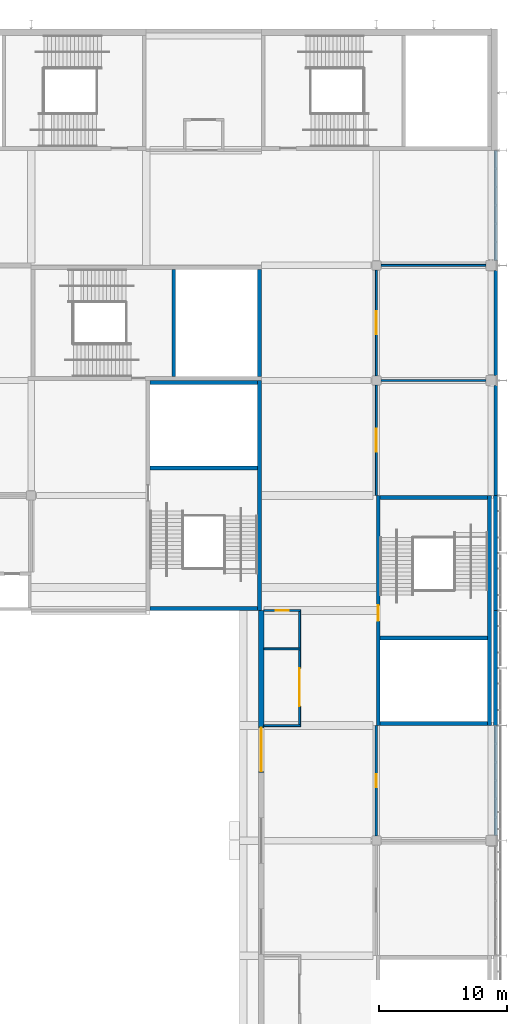
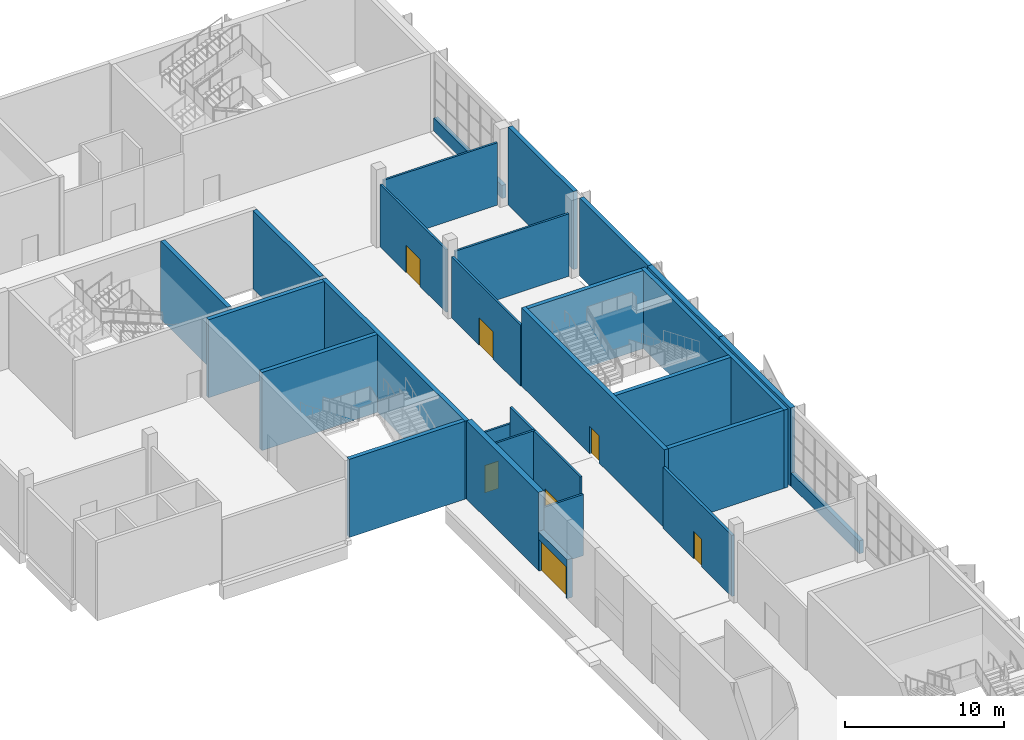
# One storey, part 46 of 89: 29 walls, 7 doors, 7 openings.
"""IFC4 building model written with IfcOpenShell, lengths in metres."""

from ifc_helpers import new_model, si_unit, direction, frame, frame_2d, origin, place, context, subcontext, project, spatial, rectangle, extrude, material, layer, layer_set, type_object, element, fill, save


model = new_model("IFC4")

# Units and contexts
model_context = context("Model", 3, precision=1e-05, world=origin(), true_north=direction((0.0, 1.0)))
body_context = subcontext(model_context, "Body", "Model", "MODEL_VIEW")
ifc_project = project(units=[si_unit("LENGTHUNIT", "METRE"), si_unit("AREAUNIT", "SQUARE_METRE"), si_unit("VOLUMEUNIT", "CUBIC_METRE"), si_unit("PLANEANGLEUNIT", "RADIAN"), si_unit("MASSUNIT", "GRAM", prefix="KILO")], contexts=[model_context])

# Site, building, storey
site_placement = place(None, origin())
site = spatial("IfcSite", under=ifc_project, at=site_placement, CompositionType="ELEMENT")
building_placement = place(site_placement, origin())
building = spatial("IfcBuilding", under=site, at=building_placement, Name="Silverbay Arena", CompositionType="ELEMENT")
storey_placement = place(building_placement, frame((0.0, 0.0, 22.0)))
storey = spatial("IfcBuildingStorey", under=building, at=storey_placement, Name="L03", CompositionType="ELEMENT", Elevation=22.0)

# Wall, opening, door
ifc_material_1 = material(Name="Concrete Grade C45", Category="concrete")
ifc_layer_1 = layer(ifc_material_1, 0.39990234375)
ifc_layer_set_1 = layer_set([ifc_layer_1], Name="Concrete Grade C45")
wall_type_1 = type_object("IfcWallType", Name="Bowl enclosure wall RC 400 EI 120", PredefinedType="SOLIDWALL", material=ifc_layer_set_1)
wall_1_placement = place(storey_placement, frame((189.0, 86.324951171875, 0.0), z_axis=(0.0, 0.0, 1.0), x_axis=(0.0, 1.0, 0.0)))
wall_1 = element("IfcWall", 1, at=wall_1_placement, inside=storey, type_object=wall_type_1, Name="portal stand E 88.125", PredefinedType="SOLIDWALL", context=body_context, shape_type="SweptSolid", body=[
    extrude(rectangle(XDim=3.60009765625, YDim=0.39990234375, at=frame_2d((1.800048828125, 0.0))), origin(), (0.0, 0.0, 1.0), 3.0),
])
opening_1_placement = place(wall_1_placement, frame((0.10009765625, 0.0, 0.0)))
opening_1 = element("IfcOpeningElement", 2, at=opening_1_placement, cuts=wall_1, Name="Opening L03-106", PredefinedType="OPENING", context=body_context, shape_type="SweptSolid", body=[
    extrude(rectangle(XDim=3.39990234375, YDim=2.39990234375, at=frame_2d((1.699951171875, 1.199951171875))), frame((0.0, 0.2099609375, 0.0), z_axis=(0.0, -1.0, 0.0), x_axis=(1.0, 0.0, 0.0)), (0.0, 0.0, 1.0), 0.419921875),
])
ifc_material_2 = material(Name="Steel", Category="steel")
door_type_1 = type_object("IfcDoorType", Name="Fire door set 3400 x 2400 FD120S portal", OperationType="DOUBLE_DOOR_SINGLE_SWING", PredefinedType="DOOR", material=ifc_material_2)
door_1_placement = place(opening_1_placement, frame((3.39990234375, 0.0, 0.0), z_axis=(0.0, 0.0, 1.0), x_axis=(-1.0, 0.0, 0.0)))
door_1 = element("IfcDoor", 3, at=door_1_placement, inside=storey, type_object=door_type_1, Name="Fire door set L03 portal stand E 88.125", OperationType="DOUBLE_DOOR_SINGLE_SWING", OverallHeight=2.39990234375, OverallWidth=3.39990234375, PredefinedType="DOOR", context=body_context, shape_type="SweptSolid", body=[
    extrude(rectangle(XDim=3.39990234375, YDim=2.39990234375, at=frame_2d((1.699951171875, 1.199951171875))), frame((0.0, 0.02490234375, 0.0), z_axis=(0.0, -1.0, 0.0), x_axis=(1.0, 0.0, 0.0)), (0.0, 0.0, 1.0), 0.050048828125),
])
fill(opening_1, door_1)

# Walls
ifc_material_3 = material(Name="Concrete Grade C45 precast, light finish", Category="concrete")
ifc_layer_2 = layer(ifc_material_3, 0.300048828125)
ifc_layer_set_2 = layer_set([ifc_layer_2], Name="Concrete Grade C45 precast, light finish")
wall_type_2 = type_object("IfcWallType", Name="Cladded external wall 300", PredefinedType="SOLIDWALL", material=ifc_layer_set_2)
wall_2_placement = place(storey_placement, frame((207.35009765625, 81.39990234375, 0.0), z_axis=(0.0, 0.0, 1.0), x_axis=(0.0, 1.0, 0.0)))
element("IfcWall", 4, at=wall_2_placement, inside=storey, type_object=wall_type_2, Name="East sill wall L03 bay 8", PredefinedType="SOLIDWALL", context=body_context, shape_type="SweptSolid", body=[
    extrude(rectangle(XDim=8.60009765625, YDim=0.300048828125, at=frame_2d((4.300048828125, 0.0))), origin(), (0.0, 0.0, 1.0), 1.0),
])
wall_3_placement = place(storey_placement, frame((207.35009765625, 108.0, 0.0), z_axis=(0.0, 0.0, 1.0), x_axis=(0.0, 1.0, 0.0)))
element("IfcWall", 5, at=wall_3_placement, inside=storey, type_object=wall_type_2, Name="East external wall L03 bay 11", PredefinedType="SOLIDWALL", context=body_context, shape_type="SweptSolid", body=[
    extrude(rectangle(XDim=8.60009765625, YDim=0.300048828125, at=frame_2d((4.300048828125, 0.0))), origin(), (0.0, 0.0, 1.0), 6.0),
])
wall_4_placement = place(storey_placement, frame((207.35009765625, 117.39990234375, 0.0), z_axis=(0.0, 0.0, 1.0), x_axis=(0.0, 1.0, 0.0)))
element("IfcWall", 6, at=wall_4_placement, inside=storey, type_object=wall_type_2, Name="East external wall L03 bay 12", PredefinedType="SOLIDWALL", context=body_context, shape_type="SweptSolid", body=[
    extrude(rectangle(XDim=8.2001953125, YDim=0.300048828125, at=frame_2d((4.10009765625, 0.0))), origin(), (0.0, 0.0, 1.0), 6.0),
])
wall_5_placement = place(storey_placement, frame((207.35009765625, 126.39990234375, 0.0), z_axis=(0.0, 0.0, 1.0), x_axis=(0.0, 1.0, 0.0)))
element("IfcWall", 7, at=wall_5_placement, inside=storey, type_object=wall_type_2, Name="East sill wall L03 bay 13", PredefinedType="SOLIDWALL", context=body_context, shape_type="SweptSolid", body=[
    extrude(rectangle(XDim=8.60009765625, YDim=0.300048828125, at=frame_2d((4.300048828125, 0.0))), origin(), (0.0, 0.0, 1.0), 1.0),
])

# Wall, opening, door
ifc_material_4 = material(Name="Concrete Grade C45", Category="concrete")
ifc_layer_3 = layer(ifc_material_4, 0.300048828125)
ifc_layer_set_3 = layer_set([ifc_layer_3], Name="Concrete Grade C45")
wall_type_3 = type_object("IfcWallType", Name="Core wall RC 300 EI 120", PredefinedType="SHEAR", material=ifc_layer_set_3)
wall_6_placement = place(storey_placement, frame((198.14990234375, 108.0, 0.0), z_axis=(0.0, 0.0, 1.0), x_axis=(0.0, -1.0, 0.0)))
wall_6 = element("IfcWall", 8, at=wall_6_placement, inside=storey, type_object=wall_type_3, Name="Core wall ST-E2 L03 door side", PredefinedType="SHEAR", context=body_context, shape_type="SweptSolid", body=[
    extrude(rectangle(XDim=18.0, YDim=0.300048828125, at=frame_2d((9.0, 0.0))), origin(), (0.0, 0.0, 1.0), 6.0),
])
opening_2_placement = place(wall_6_placement, frame((8.60009765625, 0.0, 0.0)))
opening_2 = element("IfcOpeningElement", 9, at=opening_2_placement, cuts=wall_6, Name="Opening L03-068", PredefinedType="OPENING", context=body_context, shape_type="SweptSolid", body=[
    extrude(rectangle(XDim=1.199951171875, YDim=2.10009765625, at=frame_2d((0.60009765625, 1.050048828125))), frame((0.0, 0.16015625, 0.0), z_axis=(0.0, -1.0, 0.0), x_axis=(1.0, 0.0, 0.0)), (0.0, 0.0, 1.0), 0.320068359375),
])
ifc_material_5 = material(Name="Steel fire door", Category="steel")
door_type_2 = type_object("IfcDoorType", Name="Stair door 1200 x 2100 fire door", OperationType="SINGLE_SWING_LEFT", PredefinedType="DOOR", material=ifc_material_5)
door_2_placement = place(opening_2_placement, origin())
door_2 = element("IfcDoor", 10, at=door_2_placement, inside=storey, type_object=door_type_2, Name="Stair door ST-E2 L03", OperationType="SINGLE_SWING_RIGHT", OverallHeight=2.10009765625, OverallWidth=1.199951171875, PredefinedType="DOOR", context=body_context, shape_type="SweptSolid", body=[
    extrude(rectangle(XDim=1.199951171875, YDim=2.10009765625, at=frame_2d((0.60009765625, 1.050048828125))), frame((0.0, 0.02490234375, 0.0), z_axis=(0.0, -1.0, 0.0), x_axis=(1.0, 0.0, 0.0)), (0.0, 0.0, 1.0), 0.050048828125),
])
fill(opening_2, door_2)

# Walls
wall_7_placement = place(storey_placement, frame((206.85009765625, 108.0, 0.0), z_axis=(0.0, 0.0, 1.0), x_axis=(0.0, -1.0, 0.0)))
element("IfcWall", 11, at=wall_7_placement, inside=storey, type_object=wall_type_3, Name="Core wall ST-E2 L03 far side", PredefinedType="SHEAR", context=body_context, shape_type="SweptSolid", body=[
    extrude(rectangle(XDim=18.0, YDim=0.300048828125, at=frame_2d((9.0, 0.0))), origin(), (0.0, 0.0, 1.0), 6.0),
])
for number, where, z_axis, x_axis, name in (
    (12, (198.300048828125, 107.85009765625, 0.0), (0.0, 0.0, 1.0), (1.0, 0.0, 0.0), "Core wall ST-E2 L03 end 1"),
    (13, (198.300048828125, 90.14990234375, 0.0), (0.0, 0.0, 1.0), (1.0, 0.0, 0.0), "Core wall ST-E2 L03 end 2"),
    (14, (198.300048828125, 96.85009765625, 0.0), (0.0, 0.0, 1.0), (1.0, 0.0, 0.0), "Core wall ST-E2 L03 stair enclosure"),
    (15, (188.85009765625, 117.300048828125, 0.0), (0.0, 0.0, 1.0), (0.0, 1.0, 0.0), "Core wall ST-NE1 L03 end 2"),
    (16, (182.14990234375, 117.300048828125, 0.0), (0.0, 0.0, 1.0), (0.0, 1.0, 0.0), "Core wall ST-NE1 L03 stair enclosure"),
):
    element("IfcWall", number, at=place(storey_placement, frame(where, z_axis=z_axis, x_axis=x_axis)), inside=storey, type_object=wall_type_3, Name=name, PredefinedType="SHEAR", context=body_context, shape_type="SweptSolid", body=[
        extrude(rectangle(XDim=8.39990234375, YDim=0.300048828125, at=frame_2d((4.199951171875, 0.0))), origin(), (0.0, 0.0, 1.0), 6.0),
    ])
wall_8_placement = place(storey_placement, frame((188.85009765625, 99.0, 0.0), z_axis=(0.0, 0.0, 1.0), x_axis=(0.0, 1.0, 0.0)))
element("IfcWall", 17, at=wall_8_placement, inside=storey, type_object=wall_type_3, Name="Core wall ST-NE2 L03 far side", PredefinedType="SHEAR", context=body_context, shape_type="SweptSolid", body=[
    extrude(rectangle(XDim=18.0, YDim=0.300048828125, at=frame_2d((9.0, 0.0))), origin(), (0.0, 0.0, 1.0), 6.0),
])
for number, where, z_axis, x_axis, name in (
    (18, (180.300048828125, 99.14990234375, 0.0), (0.0, 0.0, 1.0), (1.0, 0.0, 0.0), "Core wall ST-NE2 L03 end 1"),
    (19, (180.300048828125, 116.85009765625, 0.0), (0.0, 0.0, 1.0), (1.0, 0.0, 0.0), "Core wall ST-NE2 L03 end 2"),
    (20, (180.300048828125, 110.14990234375, 0.0), (0.0, 0.0, 1.0), (1.0, 0.0, 0.0), "Core wall ST-NE2 L03 stair enclosure"),
):
    element("IfcWall", number, at=place(storey_placement, frame(where, z_axis=z_axis, x_axis=x_axis)), inside=storey, type_object=wall_type_3, Name=name, PredefinedType="SHEAR", context=body_context, shape_type="SweptSolid", body=[
        extrude(rectangle(XDim=8.39990234375, YDim=0.300048828125, at=frame_2d((4.199951171875, 0.0))), origin(), (0.0, 0.0, 1.0), 6.0),
    ])
ifc_material_6 = material(Name="Gypsum board partition on steel studs", Category="steel")
ifc_layer_4 = layer(ifc_material_6, 0.14990234375)
ifc_layer_set_4 = layer_set([ifc_layer_4], Name="Gypsum board partition on steel studs")
wall_type_4 = type_object("IfcWallType", Name="Partition 150 EI 60", PredefinedType="PARTITIONING", material=ifc_layer_set_4)
wall_9_placement = place(storey_placement, frame((189.199951171875, 90.0, 0.0), z_axis=(0.0, 0.0, 1.0), x_axis=(1.0, 0.0, 0.0)))
element("IfcWall", 21, at=wall_9_placement, inside=storey, type_object=wall_type_4, Name="Partition wall", PredefinedType="PARTITIONING", context=body_context, shape_type="SweptSolid", body=[
    extrude(rectangle(XDim=2.875, YDim=0.14990234375, at=frame_2d((1.4375, 0.0))), origin(), (0.0, 0.0, 1.0), 4.699951171875),
])
wall_10_placement = place(storey_placement, frame((189.199951171875, 96.0, 0.0), z_axis=(0.0, 0.0, 1.0), x_axis=(1.0, 0.0, 0.0)))
element("IfcWall", 22, at=wall_10_placement, inside=storey, type_object=wall_type_4, Name="Partition wall", PredefinedType="PARTITIONING", context=body_context, shape_type="SweptSolid", body=[
    extrude(rectangle(XDim=2.875, YDim=0.14990234375, at=frame_2d((1.4375, 0.0))), origin(), (0.0, 0.0, 1.0), 6.0),
])

# Wall, opening, door
wall_11_placement = place(storey_placement, frame((189.199951171875, 99.0, 0.0), z_axis=(0.0, 0.0, 1.0), x_axis=(1.0, 0.0, 0.0)))
wall_11 = element("IfcWall", 23, at=wall_11_placement, inside=storey, type_object=wall_type_4, Name="Partition wall", PredefinedType="PARTITIONING", context=body_context, shape_type="SweptSolid", body=[
    extrude(rectangle(XDim=2.875, YDim=0.14990234375, at=frame_2d((1.4375, 0.0))), origin(), (0.0, 0.0, 1.0), 4.699951171875),
])
opening_3_placement = place(wall_11_placement, frame((0.93798828125, 0.0, 0.0)))
opening_3 = element("IfcOpeningElement", 24, at=opening_3_placement, cuts=wall_11, Name="Opening L03-046", PredefinedType="OPENING", context=body_context, shape_type="SweptSolid", body=[
    extrude(rectangle(XDim=1.0, YDim=2.10009765625, at=frame_2d((0.5, 1.050048828125))), frame((0.0, 0.0849609375, 0.0), z_axis=(0.0, -1.0, 0.0), x_axis=(1.0, 0.0, 0.0)), (0.0, 0.0, 1.0), 0.169921875),
])
ifc_material_7 = material(Name="Steel faced timber", Category="steel")
door_type_3 = type_object("IfcDoorType", Name="Single leaf door 1000 x 2100 FD30S", OperationType="SINGLE_SWING_LEFT", PredefinedType="DOOR", material=ifc_material_7)
door_3_placement = place(opening_3_placement, frame((1.0, 0.0, 0.0), z_axis=(0.0, 0.0, 1.0), x_axis=(-1.0, 0.0, 0.0)))
door_3 = element("IfcDoor", 25, at=door_3_placement, inside=storey, type_object=door_type_3, Name="Door L03-046", OperationType="SINGLE_SWING_LEFT", OverallHeight=2.10009765625, OverallWidth=1.0, PredefinedType="DOOR", context=body_context, shape_type="SweptSolid", body=[
    extrude(rectangle(XDim=1.0, YDim=2.10009765625, at=frame_2d((0.5, 1.050048828125))), frame((0.0, 0.02490234375, 0.0), z_axis=(0.0, -1.0, 0.0), x_axis=(1.0, 0.0, 0.0)), (0.0, 0.0, 1.0), 0.050048828125),
])
fill(opening_3, door_3)

# Walls
for number, where, z_axis, x_axis, name in (
    (26, (198.35009765625, 117.0, 0.0), (0.0, 0.0, 1.0), (1.0, 0.0, 0.0), "Partition wall"),
    (27, (198.35009765625, 126.0, 0.0), (0.0, 0.0, 1.0), (1.0, 0.0, 0.0), "Partition wall"),
):
    element("IfcWall", number, at=place(storey_placement, frame(where, z_axis=z_axis, x_axis=x_axis)), inside=storey, type_object=wall_type_4, Name=name, PredefinedType="PARTITIONING", context=body_context, shape_type="SweptSolid", body=[
        extrude(rectangle(XDim=8.25, YDim=0.14990234375, at=frame_2d((4.125, 0.0))), origin(), (0.0, 0.0, 1.0), 4.800048828125),
    ])

# Wall, opening, door
wall_12_placement = place(storey_placement, frame((192.0, 90.074951171875, 0.0), z_axis=(0.0, 0.0, 1.0), x_axis=(0.0, 1.0, 0.0)))
wall_12 = element("IfcWall", 28, at=wall_12_placement, inside=storey, type_object=wall_type_4, Name="Partition wall", PredefinedType="PARTITIONING", context=body_context, shape_type="SweptSolid", body=[
    extrude(rectangle(XDim=5.85009765625, YDim=0.14990234375, at=frame_2d((2.925048828125, 0.0))), origin(), (0.0, 0.0, 1.0), 6.0),
])
opening_4_placement = place(wall_12_placement, frame((1.425048828125, 0.0, 0.0)))
opening_4 = element("IfcOpeningElement", 29, at=opening_4_placement, cuts=wall_12, Name="Opening L03-045", PredefinedType="OPENING", context=body_context, shape_type="SweptSolid", body=[
    extrude(rectangle(XDim=3.0, YDim=2.39990234375, at=frame_2d((1.5, 1.199951171875))), frame((0.0, 0.0849609375, 0.0), z_axis=(0.0, -1.0, 0.0), x_axis=(1.0, 0.0, 0.0)), (0.0, 0.0, 1.0), 0.169921875),
])
ifc_material_8 = material(Name="Steel", Category="steel")
door_type_4 = type_object("IfcDoorType", Name="Roller shutter 3000 x 2400 FD30S", OperationType="ROLLINGUP", PredefinedType="DOOR", material=ifc_material_8)
door_4_placement = place(opening_4_placement, origin())
door_4 = element("IfcDoor", 30, at=door_4_placement, inside=storey, type_object=door_type_4, Name="Door L03-045", OperationType="ROLLINGUP", OverallHeight=2.39990234375, OverallWidth=3.0, PredefinedType="DOOR", context=body_context, shape_type="SweptSolid", body=[
    extrude(rectangle(XDim=3.0, YDim=2.39990234375, at=frame_2d((1.5, 1.199951171875))), frame((0.0, 0.02490234375, 0.0), z_axis=(0.0, -1.0, 0.0), x_axis=(1.0, 0.0, 0.0)), (0.0, 0.0, 1.0), 0.050048828125),
])
fill(opening_4, door_4)

# Wall
wall_13_placement = place(storey_placement, frame((192.0, 96.074951171875, 0.0), z_axis=(0.0, 0.0, 1.0), x_axis=(0.0, 1.0, 0.0)))
element("IfcWall", 31, at=wall_13_placement, inside=storey, type_object=wall_type_4, Name="Partition wall", PredefinedType="PARTITIONING", context=body_context, shape_type="SweptSolid", body=[
    extrude(rectangle(XDim=2.85009765625, YDim=0.14990234375, at=frame_2d((1.425048828125, 0.0))), origin(), (0.0, 0.0, 1.0), 6.0),
])

# Wall, opening, door
wall_14_placement = place(storey_placement, frame((198.0, 108.0, 0.0), z_axis=(0.0, 0.0, 1.0), x_axis=(0.0, 1.0, 0.0)))
wall_14 = element("IfcWall", 32, at=wall_14_placement, inside=storey, type_object=wall_type_4, Name="Partition wall", PredefinedType="PARTITIONING", context=body_context, shape_type="SweptSolid", body=[
    extrude(rectangle(XDim=8.64990234375, YDim=0.14990234375, at=frame_2d((4.324951171875, 0.0))), origin(), (0.0, 0.0, 1.0), 4.699951171875),
])
opening_5_placement = place(wall_14_placement, frame((3.425048828125, 0.0, 0.0)))
opening_5 = element("IfcOpeningElement", 33, at=opening_5_placement, cuts=wall_14, Name="Opening L03-019", PredefinedType="OPENING", context=body_context, shape_type="SweptSolid", body=[
    extrude(rectangle(XDim=1.800048828125, YDim=2.10009765625, at=frame_2d((0.89990234375, 1.050048828125))), frame((0.0, 0.0849609375, 0.0), z_axis=(0.0, -1.0, 0.0), x_axis=(1.0, 0.0, 0.0)), (0.0, 0.0, 1.0), 0.169921875),
])
ifc_material_9 = material(Name="Steel faced timber", Category="steel")
door_type_5 = type_object("IfcDoorType", Name="Double leaf door 1800 x 2100 FD30S", OperationType="DOUBLE_DOOR_DOUBLE_SWING", PredefinedType="DOOR", material=ifc_material_9)
door_5_placement = place(opening_5_placement, frame((1.800048828125, 0.0, 0.0), z_axis=(0.0, 0.0, 1.0), x_axis=(-1.0, 0.0, 0.0)))
door_5 = element("IfcDoor", 34, at=door_5_placement, inside=storey, type_object=door_type_5, Name="Door L03-019", OperationType="DOUBLE_DOOR_DOUBLE_SWING", OverallHeight=2.10009765625, OverallWidth=1.800048828125, PredefinedType="DOOR", context=body_context, shape_type="SweptSolid", body=[
    extrude(rectangle(XDim=1.800048828125, YDim=2.10009765625, at=frame_2d((0.89990234375, 1.050048828125))), frame((0.0, 0.02490234375, 0.0), z_axis=(0.0, -1.0, 0.0), x_axis=(1.0, 0.0, 0.0)), (0.0, 0.0, 1.0), 0.050048828125),
])
fill(opening_5, door_5)

wall_15_placement = place(storey_placement, frame((198.0, 117.35009765625, 0.0), z_axis=(0.0, 0.0, 1.0), x_axis=(0.0, 1.0, 0.0)))
wall_15 = element("IfcWall", 35, at=wall_15_placement, inside=storey, type_object=wall_type_4, Name="Partition wall", PredefinedType="PARTITIONING", context=body_context, shape_type="SweptSolid", body=[
    extrude(rectangle(XDim=8.2998046875, YDim=0.14990234375, at=frame_2d((4.14990234375, 0.0))), origin(), (0.0, 0.0, 1.0), 4.800048828125),
])
opening_6_placement = place(wall_15_placement, frame((3.25, 0.0, 0.0)))
opening_6 = element("IfcOpeningElement", 36, at=opening_6_placement, cuts=wall_15, Name="Opening L03-020", PredefinedType="OPENING", context=body_context, shape_type="SweptSolid", body=[
    extrude(rectangle(XDim=1.800048828125, YDim=2.10009765625, at=frame_2d((0.89990234375, 1.050048828125))), frame((0.0, 0.0849609375, 0.0), z_axis=(0.0, -1.0, 0.0), x_axis=(1.0, 0.0, 0.0)), (0.0, 0.0, 1.0), 0.169921875),
])
door_6_placement = place(opening_6_placement, frame((1.800048828125, 0.0, 0.0), z_axis=(0.0, 0.0, 1.0), x_axis=(-1.0, 0.0, 0.0)))
door_6 = element("IfcDoor", 37, at=door_6_placement, inside=storey, type_object=door_type_5, Name="Door L03-020", OperationType="DOUBLE_DOOR_DOUBLE_SWING", OverallHeight=2.10009765625, OverallWidth=1.800048828125, PredefinedType="DOOR", context=body_context, shape_type="SweptSolid", body=[
    extrude(rectangle(XDim=1.800048828125, YDim=2.10009765625, at=frame_2d((0.89990234375, 1.050048828125))), frame((0.0, 0.02490234375, 0.0), z_axis=(0.0, -1.0, 0.0), x_axis=(1.0, 0.0, 0.0)), (0.0, 0.0, 1.0), 0.050048828125),
])
fill(opening_6, door_6)

ifc_material_10 = material(Name="Masonry blockwork partition", Category="masonry")
ifc_layer_5 = layer(ifc_material_10, 0.199951171875)
ifc_layer_set_5 = layer_set([ifc_layer_5], Name="Masonry blockwork partition")
wall_type_5 = type_object("IfcWallType", Name="Partition 200 EI 120", PredefinedType="PARTITIONING", material=ifc_layer_set_5)
wall_16_placement = place(storey_placement, frame((198.0, 81.35009765625, 0.0), z_axis=(0.0, 0.0, 1.0), x_axis=(0.0, 1.0, 0.0)))
wall_16 = element("IfcWall", 38, at=wall_16_placement, inside=storey, type_object=wall_type_5, Name="Partition wall", PredefinedType="PARTITIONING", context=body_context, shape_type="SweptSolid", body=[
    extrude(rectangle(XDim=8.64990234375, YDim=0.199951171875, at=frame_2d((4.324951171875, 0.0))), origin(), (0.0, 0.0, 1.0), 4.699951171875),
])
opening_7_placement = place(wall_16_placement, frame((3.824951171875, 0.0, 0.0)))
opening_7 = element("IfcOpeningElement", 39, at=opening_7_placement, cuts=wall_16, Name="Opening L03-018", PredefinedType="OPENING", context=body_context, shape_type="SweptSolid", body=[
    extrude(rectangle(XDim=1.0, YDim=2.10009765625, at=frame_2d((0.5, 1.050048828125))), frame((0.0, 0.10986328125, 0.0), z_axis=(0.0, -1.0, 0.0), x_axis=(1.0, 0.0, 0.0)), (0.0, 0.0, 1.0), 0.219970703125),
])
ifc_material_11 = material(Name="Steel faced timber", Category="steel")
door_type_6 = type_object("IfcDoorType", Name="Single leaf door 1000 x 2100 FD120", OperationType="SINGLE_SWING_LEFT", PredefinedType="DOOR", material=ifc_material_11)
door_7_placement = place(opening_7_placement, frame((1.0, 0.0, 0.0), z_axis=(0.0, 0.0, 1.0), x_axis=(-1.0, 0.0, 0.0)))
door_7 = element("IfcDoor", 40, at=door_7_placement, inside=storey, type_object=door_type_6, Name="Door L03-018", OperationType="SINGLE_SWING_LEFT", OverallHeight=2.10009765625, OverallWidth=1.0, PredefinedType="DOOR", context=body_context, shape_type="SweptSolid", body=[
    extrude(rectangle(XDim=1.0, YDim=2.10009765625, at=frame_2d((0.5, 1.050048828125))), frame((0.0, 0.02490234375, 0.0), z_axis=(0.0, -1.0, 0.0), x_axis=(1.0, 0.0, 0.0)), (0.0, 0.0, 1.0), 0.050048828125),
])
fill(opening_7, door_7)

# Walls
ifc_material_12 = material(Name="Concrete Grade C45", Category="concrete")
ifc_layer_6 = layer(ifc_material_12, 0.39990234375)
ifc_layer_set_6 = layer_set([ifc_layer_6], Name="Concrete Grade C45")
wall_type_6 = type_object("IfcWallType", Name="RC back wall 400 EI 120", PredefinedType="SOLIDWALL", material=ifc_layer_set_6)
wall_17_placement = place(storey_placement, frame((189.0, 89.925048828125, 0.0), z_axis=(0.0, 0.0, 1.0), x_axis=(0.0, 1.0, 0.0)))
element("IfcWall", 41, at=wall_17_placement, inside=storey, type_object=wall_type_6, Name="Bowl back wall L03 09", PredefinedType="SOLIDWALL", context=body_context, shape_type="SweptSolid", body=[
    extrude(rectangle(XDim=9.074951171875, YDim=0.39990234375, at=frame_2d((4.53759765625, 0.0))), origin(), (0.0, 0.0, 1.0), 6.0),
])
ifc_material_13 = material(Name="Concrete Grade C45", Category="concrete")
ifc_layer_7 = layer(ifc_material_13, 0.35009765625)
ifc_layer_set_7 = layer_set([ifc_layer_7], Name="Concrete Grade C45")
wall_type_7 = type_object("IfcWallType", Name="Stair core facade wall 350", PredefinedType="SOLIDWALL", material=ifc_layer_set_7)
for number, where, z_axis, x_axis, name in (
    (42, (207.324951171875, 90.0, 0.0), (0.0, 0.0, 1.0), (0.0, 1.0, 0.0), "East external wall L03 bay 9"),
    (43, (207.324951171875, 99.0, 0.0), (0.0, 0.0, 1.0), (0.0, 1.0, 0.0), "East external wall L03 bay 10"),
):
    element("IfcWall", number, at=place(storey_placement, frame(where, z_axis=z_axis, x_axis=x_axis)), inside=storey, type_object=wall_type_7, Name=name, PredefinedType="SOLIDWALL", context=body_context, shape_type="SweptSolid", body=[
        extrude(rectangle(XDim=9.0, YDim=0.35009765625, at=frame_2d((4.5, 0.0))), origin(), (0.0, 0.0, 1.0), 6.0),
    ])

save(model, "model.ifc")
